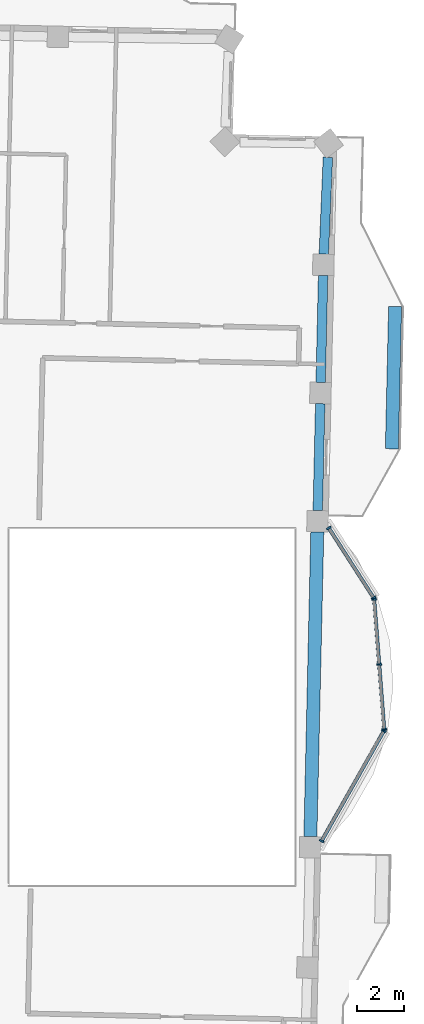
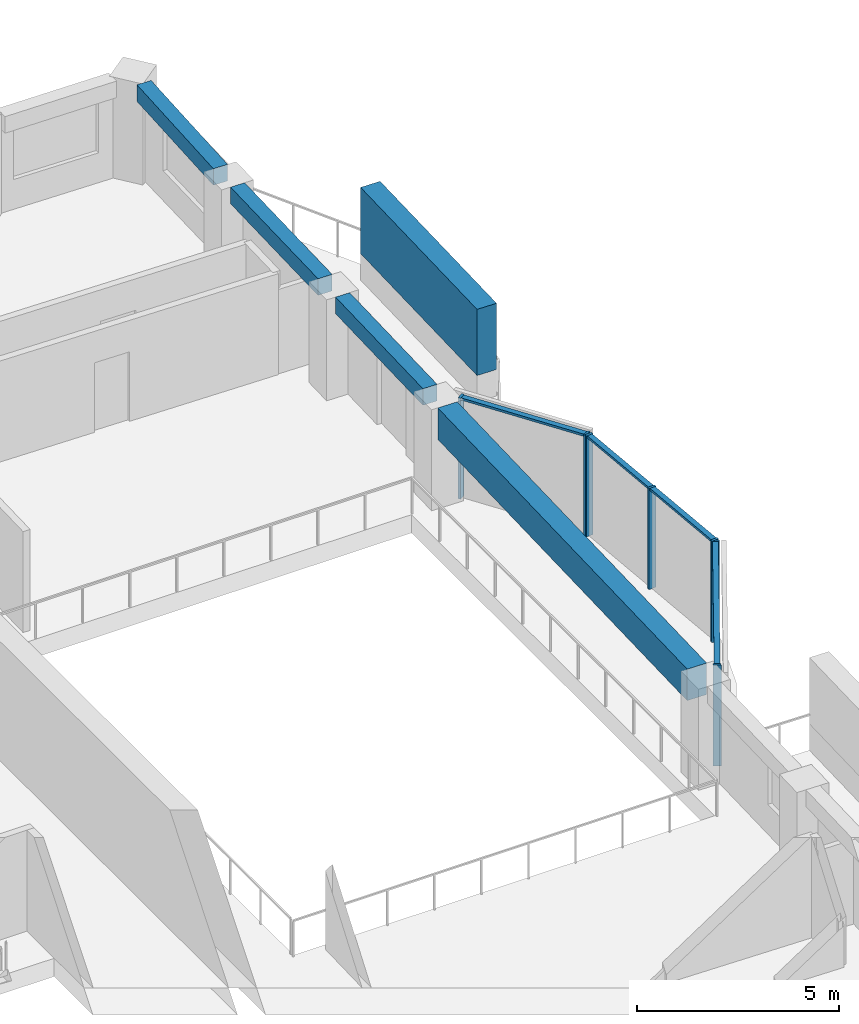
# One storey, part 2 of 15: 12 members, 4 beams, 3 elements without a shape of their own.
"""IFC4 building model written with IfcOpenShell, lengths in metres."""

from ifc_helpers import new_model, si_unit, direction, frame, origin, origin_2d, place, context, subcontext, project, spatial, rectangle, extrude, material, material_profile, profile_set, type_object, element, aggregate, save


model = new_model("IFC4")

# Units and contexts
model_context = context("Model", 3, precision=1e-05, world=origin(), true_north=direction((0.0, 1.0)))
body_context = subcontext(model_context, "Body", "Model", "MODEL_VIEW")
ifc_project = project(units=[si_unit("LENGTHUNIT", "METRE"), si_unit("AREAUNIT", "SQUARE_METRE"), si_unit("VOLUMEUNIT", "CUBIC_METRE"), si_unit("PLANEANGLEUNIT", "RADIAN"), si_unit("MASSUNIT", "GRAM", prefix="KILO")], contexts=[model_context])

# Site, building, storey
site_placement = place(None, origin())
site = spatial("IfcSite", under=ifc_project, at=site_placement, CompositionType="ELEMENT")
building_placement = place(site_placement, origin())
building = spatial("IfcBuilding", under=site, at=building_placement, Name="Mangrove Gate Tower", CompositionType="ELEMENT")
storey_placement = place(building_placement, frame((0.0, 0.0, 306.10009765625)))
storey = spatial("IfcBuildingStorey", under=building, at=storey_placement, Name="L78", CompositionType="ELEMENT", Elevation=306.10009765625)

# Curtain wall, members
ifc_material_1 = material(Name="Aluminium and glass curtain wall", Category="aluminium")
curtain_wall_type = type_object("IfcCurtainWallType", Name="Atrium garden-court glazing wall", PredefinedType="NOTDEFINED", material=ifc_material_1)
curtain_wall_1_placement = place(storey_placement, origin())
curtain_wall_1 = element("IfcCurtainWall", 1, at=curtain_wall_1_placement, inside=storey, type_object=curtain_wall_type, Name="Atrium garden-court glazing E1f1", PredefinedType="NOTDEFINED")
ifc_material_2 = material(Name="Aluminium alloy 6063-T6", Category="aluminium")
ifc_material_profile_1 = material_profile(ifc_material_2, rectangle(XDim=0.070068359375, YDim=0.199951171875, at=origin_2d()))
ifc_profile_set_1 = profile_set([ifc_material_profile_1], Name="Aluminium alloy 6063-T6")
member_type_1 = type_object("IfcMemberType", Name="Atrium garden-court glazing mullion 70x200", PredefinedType="MULLION", material=ifc_profile_set_1)
member_1_placement = place(storey_placement, frame((29.06884765625, -5.647216796875, 0.0), z_axis=(0.0, 0.0, 1.0), x_axis=(0.4925871539, 0.870263118725, 0.0)))
member_1 = element("IfcMember", 2, at=member_1_placement, type_object=member_type_1, Name="CWA mullion 1", PredefinedType="MULLION", context=body_context, shape_type="SweptSolid", body=[
    extrude(rectangle(XDim=0.070068359375, YDim=0.199951171875, at=origin_2d()), origin(), (0.0, 0.0, 1.0), 3.0498046875),
])
member_2_placement = place(storey_placement, frame((31.693359375, -1.01025390625, 0.0), z_axis=(0.0, 0.0, 1.0), x_axis=(0.4925871539, 0.870263118725, 0.0)))
member_2 = element("IfcMember", 3, at=member_2_placement, type_object=member_type_1, Name="CWA mullion 2", PredefinedType="MULLION", context=body_context, shape_type="SweptSolid", body=[
    extrude(rectangle(XDim=0.070068359375, YDim=0.199951171875, at=origin_2d()), origin(), (0.0, 0.0, 1.0), 3.0498046875),
])

curtain_wall_2_placement = place(storey_placement, origin())
curtain_wall_2 = element("IfcCurtainWall", 4, at=curtain_wall_2_placement, inside=storey, type_object=curtain_wall_type, Name="Atrium garden-court glazing E1f2", PredefinedType="NOTDEFINED")
member_3_placement = place(storey_placement, frame((31.7080078125, -0.94482421875, 0.0), z_axis=(0.0, 0.0, 1.0), x_axis=(-0.077023348212, 0.997029289354, 0.0)))
member_3 = element("IfcMember", 5, at=member_3_placement, type_object=member_type_1, Name="CWA mullion 1", PredefinedType="MULLION", context=body_context, shape_type="SweptSolid", body=[
    extrude(rectangle(XDim=0.070068359375, YDim=0.199951171875, at=origin_2d()), origin(), (0.0, 0.0, 1.0), 3.0498046875),
])
member_4_placement = place(storey_placement, frame((31.495849609375, 1.798583984375, 0.0), z_axis=(0.0, 0.0, 1.0), x_axis=(-0.077023348212, 0.997029289354, 0.0)))
member_4 = element("IfcMember", 6, at=member_4_placement, type_object=member_type_1, Name="CWA mullion 2", PredefinedType="MULLION", context=body_context, shape_type="SweptSolid", body=[
    extrude(rectangle(XDim=0.070068359375, YDim=0.199951171875, at=origin_2d()), origin(), (0.0, 0.0, 1.0), 3.0498046875),
])
member_5_placement = place(storey_placement, frame((31.283935546875, 4.542236328125, 0.0), z_axis=(0.0, 0.0, 1.0), x_axis=(-0.077023348212, 0.997029289354, 0.0)))
member_5 = element("IfcMember", 7, at=member_5_placement, type_object=member_type_1, Name="CWA mullion 3", PredefinedType="MULLION", context=body_context, shape_type="SweptSolid", body=[
    extrude(rectangle(XDim=0.070068359375, YDim=0.199951171875, at=origin_2d()), origin(), (0.0, 0.0, 1.0), 3.0498046875),
])

curtain_wall_3_placement = place(storey_placement, origin())
curtain_wall_3 = element("IfcCurtainWall", 8, at=curtain_wall_3_placement, inside=storey, type_object=curtain_wall_type, Name="Atrium garden-court glazing E1f3", PredefinedType="NOTDEFINED")
member_6_placement = place(storey_placement, frame((31.262451171875, 4.606689453125, 0.0), z_axis=(0.0, 0.0, 1.0), x_axis=(-0.540512472211, 0.841336001479, 0.0)))
member_6 = element("IfcMember", 9, at=member_6_placement, type_object=member_type_1, Name="CWA mullion 1", PredefinedType="MULLION", context=body_context, shape_type="SweptSolid", body=[
    extrude(rectangle(XDim=0.070068359375, YDim=0.199951171875, at=origin_2d()), origin(), (0.0, 0.0, 1.0), 3.0498046875),
])
member_7_placement = place(storey_placement, frame((29.371337890625, 7.550048828125, 0.0), z_axis=(0.0, 0.0, 1.0), x_axis=(-0.540512472211, 0.841336001479, 0.0)))
member_7 = element("IfcMember", 10, at=member_7_placement, type_object=member_type_1, Name="CWA mullion 2", PredefinedType="MULLION", context=body_context, shape_type="SweptSolid", body=[
    extrude(rectangle(XDim=0.070068359375, YDim=0.199951171875, at=origin_2d()), origin(), (0.0, 0.0, 1.0), 3.0498046875),
])

# Member
ifc_material_3 = material(Name="Aluminium alloy 6063-T6", Category="aluminium")
ifc_material_profile_2 = material_profile(ifc_material_3, rectangle(XDim=0.070068359375, YDim=0.14990234375, at=origin_2d()))
ifc_profile_set_2 = profile_set([ifc_material_profile_2], Name="Aluminium alloy 6063-T6")
member_type_2 = type_object("IfcMemberType", Name="Atrium garden-court glazing transom 70x150", PredefinedType="USERDEFINED", material=ifc_profile_set_2)
member_8_placement = place(storey_placement, frame((29.0859375, -5.61669921875, 3.014892578125), z_axis=(0.492589594548, 0.870261737262, 0.0), x_axis=(0.0, 0.0, 1.0)))
member_8 = element("IfcMember", 11, at=member_8_placement, type_object=member_type_2, Name="CWA transom 1.2", ObjectType="TRANSOM", PredefinedType="USERDEFINED", context=body_context, shape_type="SweptSolid", body=[
    extrude(rectangle(XDim=0.070068359375, YDim=0.14990234375, at=origin_2d()), origin(), (0.0, 0.0, 1.0), 5.258056640625),
])

aggregate(curtain_wall_1, [member_1, member_2, member_8])

member_9_placement = place(storey_placement, frame((31.705322265625, -0.909912109375, 3.014892578125), z_axis=(-0.077114223205, 0.997022264836, 0.0), x_axis=(0.0, 0.0, 1.0)))
member_9 = element("IfcMember", 12, at=member_9_placement, type_object=member_type_2, Name="CWA transom 1.2", ObjectType="TRANSOM", PredefinedType="USERDEFINED", context=body_context, shape_type="SweptSolid", body=[
    extrude(rectangle(XDim=0.070068359375, YDim=0.14990234375, at=origin_2d()), origin(), (0.0, 0.0, 1.0), 2.681640625),
])

member_10_placement = place(storey_placement, frame((31.4931640625, 1.83349609375, 3.014892578125), z_axis=(-0.07701672858, 0.997029800718, 0.0), x_axis=(0.0, 0.0, 1.0)))
member_10 = element("IfcMember", 13, at=member_10_placement, type_object=member_type_2, Name="CWA transom 2.2", ObjectType="TRANSOM", PredefinedType="USERDEFINED", context=body_context, shape_type="SweptSolid", body=[
    extrude(rectangle(XDim=0.070068359375, YDim=0.14990234375, at=origin_2d()), origin(), (0.0, 0.0, 1.0), 2.681884765625),
])

aggregate(curtain_wall_2, [member_3, member_4, member_5, member_9, member_10])

member_11_placement = place(storey_placement, frame((31.243408203125, 4.635986328125, 3.014892578125), z_axis=(-0.540455251262, 0.841372760067, 0.0), x_axis=(0.0, 0.0, 1.0)))
member_11 = element("IfcMember", 14, at=member_11_placement, type_object=member_type_2, Name="CWA transom 1.2", ObjectType="TRANSOM", PredefinedType="USERDEFINED", context=body_context, shape_type="SweptSolid", body=[
    extrude(rectangle(XDim=0.070068359375, YDim=0.14990234375, at=origin_2d()), origin(), (0.0, 0.0, 1.0), 3.4287109375),
])

aggregate(curtain_wall_3, [member_6, member_7, member_11])

ifc_material_4 = material(Name="Planting on aluminium trellis", Category="aluminium")
ifc_material_profile_3 = material_profile(ifc_material_4, rectangle(XDim=0.550048828125, YDim=2.0, at=origin_2d()))
ifc_profile_set_3 = profile_set([ifc_material_profile_3], Name="Planting on aluminium trellis")
member_type_3 = type_object("IfcMemberType", Name="Balcony greenery screen 550x2000", PredefinedType="USERDEFINED", material=ifc_profile_set_3)
member_12_placement = place(storey_placement, frame((32.032958984375, 10.888916015625, 1.7998046875), z_axis=(0.022662255828, 0.999743178102, 0.0), x_axis=(-0.999743178102, 0.022662255828, 0.0)))
element("IfcMember", 15, at=member_12_placement, inside=storey, type_object=member_type_3, Name="GREEN SCREEN L78 E1.1", ObjectType="PLANTING", PredefinedType="USERDEFINED", context=body_context, shape_type="SweptSolid", body=[
    extrude(rectangle(XDim=0.550048828125, YDim=2.0, at=origin_2d()), origin(), (0.0, 0.0, 1.0), 6.00048828125),
])

# Beams
ifc_material_5 = material(Name="Concrete C50/60", Category="concrete")
ifc_material_profile_4 = material_profile(ifc_material_5, rectangle(XDim=0.39990234375, YDim=0.5, at=origin_2d()))
ifc_profile_set_4 = profile_set([ifc_material_profile_4], Name="Concrete C50/60")
beam_type_1 = type_object("IfcBeamType", Name="Edge beam RC 400x500 C50/60", PredefinedType="BEAM", material=ifc_profile_set_4)
beam_1_placement = place(storey_placement, frame((28.908447265625, 8.28515625, 2.7998046875), z_axis=(0.022744778057, 0.999741304074, 0.0), x_axis=(-0.999741304074, 0.022744778057, 0.0)))
element("IfcBeam", 16, at=beam_1_placement, inside=storey, type_object=beam_type_1, Name="Edge beam L78 18", PredefinedType="BEAM", context=body_context, shape_type="SweptSolid", body=[
    extrude(rectangle(XDim=0.39990234375, YDim=0.5, at=origin_2d()), origin(), (0.0, 0.0, 1.0), 4.50830078125),
])
beam_2_placement = place(storey_placement, frame((29.03125, 13.692138671875, 2.7998046875), z_axis=(0.022587290064, 0.999744874619, 0.0), x_axis=(-0.999744874619, 0.022587290064, 0.0)))
element("IfcBeam", 17, at=beam_2_placement, inside=storey, type_object=beam_type_1, Name="Edge beam L78 19", PredefinedType="BEAM", context=body_context, shape_type="SweptSolid", body=[
    extrude(rectangle(XDim=0.39990234375, YDim=0.5, at=origin_2d()), origin(), (0.0, 0.0, 1.0), 4.50732421875),
])
beam_3_placement = place(storey_placement, frame((29.162109375, 19.097900390625, 2.7998046875), z_axis=(0.042425880864, 0.999099616972, 0.0), x_axis=(-0.999099616972, 0.042425880864, 0.0)))
element("IfcBeam", 18, at=beam_3_placement, inside=storey, type_object=beam_type_1, Name="Edge beam L78 20", PredefinedType="BEAM", context=body_context, shape_type="SweptSolid", body=[
    extrude(rectangle(XDim=0.39990234375, YDim=0.5, at=origin_2d()), origin(), (0.0, 0.0, 1.0), 4.085693359375),
])
ifc_material_6 = material(Name="Concrete C50/60", Category="concrete")
ifc_material_profile_5 = material_profile(ifc_material_6, rectangle(XDim=0.550048828125, YDim=0.949951171875, at=origin_2d()))
ifc_profile_set_5 = profile_set([ifc_material_profile_5], Name="Concrete C50/60")
beam_type_2 = type_object("IfcBeamType", Name="Edge beam RC 550x950 C50/60", PredefinedType="BEAM", material=ifc_profile_set_5)
beam_4_placement = place(storey_placement, frame((28.596435546875, -5.4619140625, 2.574951171875), z_axis=(0.022684290942, 0.999742678365, 0.0), x_axis=(-0.999742678365, 0.022684290942, 0.0)))
element("IfcBeam", 19, at=beam_4_placement, inside=storey, type_object=beam_type_2, Name="Edge beam L78 17", PredefinedType="BEAM", context=body_context, shape_type="SweptSolid", body=[
    extrude(rectangle(XDim=0.550048828125, YDim=0.949951171875, at=origin_2d()), origin(), (0.0, 0.0, 1.0), 12.8505859375),
])

save(model, "model.ifc")
